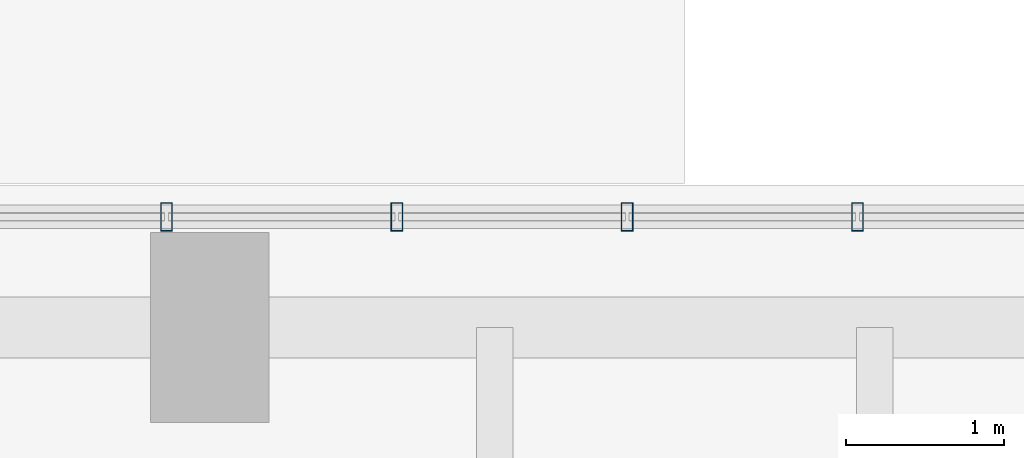
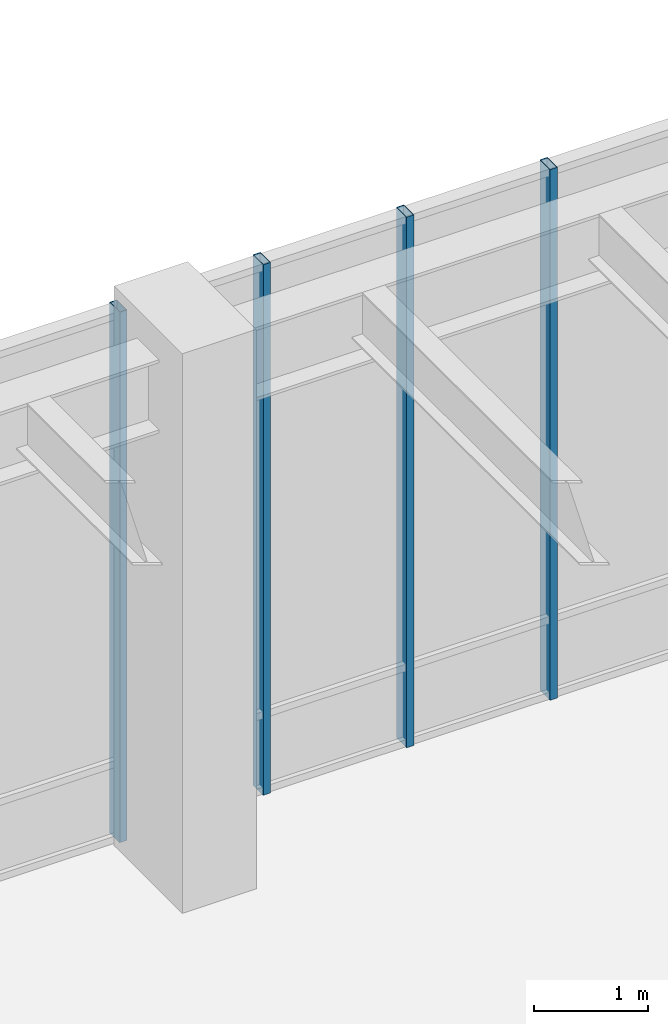
# One storey, part 11 of 28: 4 members, 1 element without a shape of its own.
"""IFC4 building model written with IfcOpenShell, lengths in metres."""

from ifc_helpers import new_model, si_unit, direction, frame, origin, origin_2d, place, context, subcontext, project, spatial, hollow_rectangle, extrude, material, layer, layer_set, material_profile, profile_set, type_object, element, aggregate, save


model = new_model("IFC4")

# Units and contexts
model_context = context("Model", 3, precision=1e-05, world=origin(), true_north=direction((0.0, 1.0)))
body_context = subcontext(model_context, "Body", "Model", "MODEL_VIEW")
ifc_project = project(units=[si_unit("LENGTHUNIT", "METRE"), si_unit("AREAUNIT", "SQUARE_METRE"), si_unit("VOLUMEUNIT", "CUBIC_METRE"), si_unit("PLANEANGLEUNIT", "RADIAN"), si_unit("MASSUNIT", "GRAM", prefix="KILO"), si_unit("THERMODYNAMICTEMPERATUREUNIT", "KELVIN"), si_unit("POWERUNIT", "WATT")], contexts=[model_context])

# Site, building, storey
site_placement = place(None, origin())
site = spatial("IfcSite", under=ifc_project, at=site_placement, CompositionType="ELEMENT")
building_placement = place(site_placement, origin())
building = spatial("IfcBuilding", under=site, at=building_placement, Name="Skarre Station Tower", CompositionType="ELEMENT")
storey_placement = place(building_placement, origin())
storey = spatial("IfcBuildingStorey", under=building, at=storey_placement, Name="L01", CompositionType="ELEMENT", Elevation=0.0)

# Curtain wall, members
ifc_material_1 = material(Name="Thermally Broken Bronze-Anodized Aluminium & Triple Low-E Glass", Category="aluminium")
ifc_layer = layer(ifc_material_1, 0.239990234375, Name="Thermally Broken Bronze-Anodized Aluminium & Triple Low-E Glass")
ifc_layer_set = layer_set([ifc_layer], Name="Thermally Broken Bronze-Anodized Aluminium & Triple Low-E Glass")
curtain_wall_type = type_object("IfcCurtainWallType", Name="Station Concourse Monumental Unitised Curtain Wall", PredefinedType="NOTDEFINED", material=ifc_layer_set)
curtain_wall_placement = place(storey_placement, origin())
curtain_wall = element("IfcCurtainWall", 1, at=curtain_wall_placement, inside=storey, type_object=curtain_wall_type, Name="L01 North Arcade West Curtain Wall", PredefinedType="NOTDEFINED")
ifc_material_2 = material(Name="Anodized Aluminium 6063-T6", Category="aluminium")
ifc_material_profile = material_profile(ifc_material_2, hollow_rectangle(XDim=0.074951171875, YDim=0.179931640625, WallThickness=0.00390625, at=origin_2d()), Name="Anodized Aluminium 6063-T6")
ifc_profile_set = profile_set([ifc_material_profile], Name="Anodized Aluminium 6063-T6")
member_type = type_object("IfcMemberType", Name="Curtain-Wall Heavy Concourse Mullion 180x75", PredefinedType="MULLION", material=ifc_profile_set)
member_1_placement = place(storey_placement, frame((26.72705078125, 47.800048828125, 0.0), z_axis=(0.0, 0.0, 1.0), x_axis=(1.0, 0.0, 0.0)))
member_1 = element("IfcMember", 2, at=member_1_placement, type_object=member_type, Name="L01 North Arcade West Curtain Wall Mullion 7", PredefinedType="MULLION", context=body_context, shape_type="SweptSolid", body=[
    extrude(hollow_rectangle(XDim=0.074951171875, YDim=0.179931640625, WallThickness=0.00390625, at=origin_2d()), origin(), (0.0, 0.0, 1.0), 5.68994140625),
])
member_2_placement = place(storey_placement, frame((28.181884765625, 47.800048828125, 0.0), z_axis=(0.0, 0.0, 1.0), x_axis=(1.0, 0.0, 0.0)))
member_2 = element("IfcMember", 3, at=member_2_placement, type_object=member_type, Name="L01 North Arcade West Curtain Wall Mullion 8", PredefinedType="MULLION", context=body_context, shape_type="SweptSolid", body=[
    extrude(hollow_rectangle(XDim=0.074951171875, YDim=0.179931640625, WallThickness=0.00390625, at=origin_2d()), origin(), (0.0, 0.0, 1.0), 5.68994140625),
])
member_3_placement = place(storey_placement, frame((29.635986328125, 47.800048828125, 0.0), z_axis=(0.0, 0.0, 1.0), x_axis=(1.0, 0.0, 0.0)))
member_3 = element("IfcMember", 4, at=member_3_placement, type_object=member_type, Name="L01 North Arcade West Curtain Wall Mullion 9", PredefinedType="MULLION", context=body_context, shape_type="SweptSolid", body=[
    extrude(hollow_rectangle(XDim=0.074951171875, YDim=0.179931640625, WallThickness=0.00390625, at=origin_2d()), origin(), (0.0, 0.0, 1.0), 5.68994140625),
])
member_4_placement = place(storey_placement, frame((31.091064453125, 47.800048828125, 0.0), z_axis=(0.0, 0.0, 1.0), x_axis=(1.0, 0.0, 0.0)))
member_4 = element("IfcMember", 5, at=member_4_placement, type_object=member_type, Name="L01 North Arcade West Curtain Wall Mullion 10", PredefinedType="MULLION", context=body_context, shape_type="SweptSolid", body=[
    extrude(hollow_rectangle(XDim=0.074951171875, YDim=0.179931640625, WallThickness=0.00390625, at=origin_2d()), origin(), (0.0, 0.0, 1.0), 5.68994140625),
])
aggregate(curtain_wall, [member_1, member_2, member_3, member_4])

save(model, "model.ifc")
